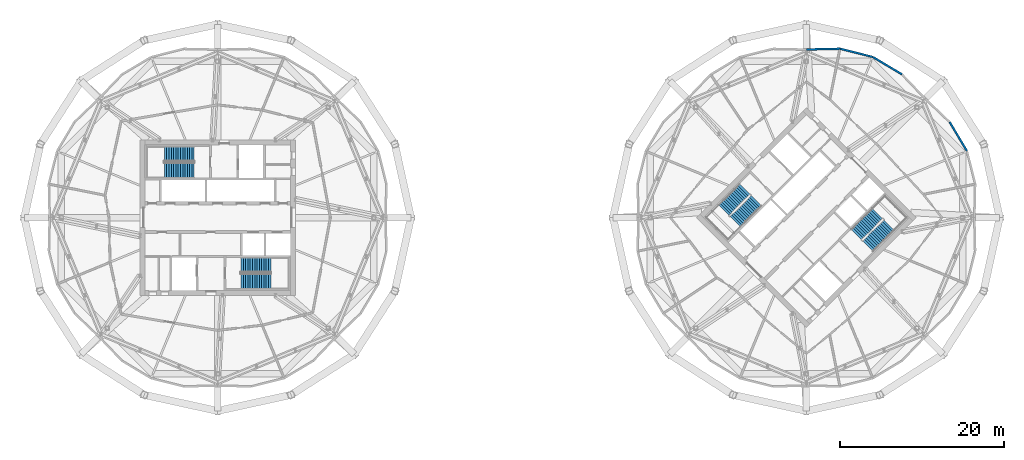
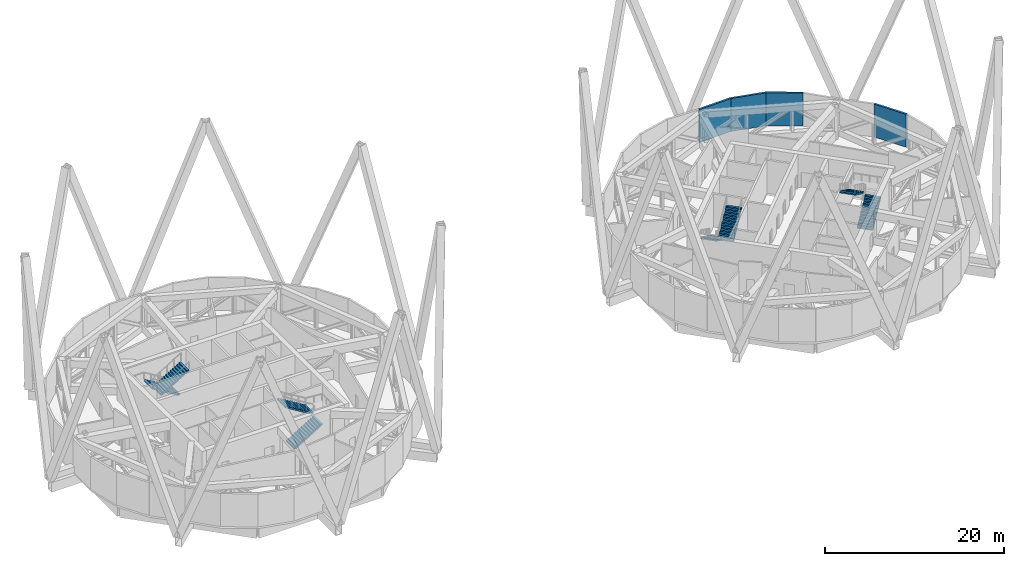
# One storey, part 18 of 19: 8 stair flights, 4 walls, 4 elements without a shape of their own.
"""IFC4 building model written with IfcOpenShell, lengths in metres."""

from ifc_helpers import new_model, si_unit, direction, frame, frame_2d, origin, place, context, subcontext, project, spatial, polyline, rectangle, outline, extrude, material, layer, layer_set, type_object, element, aggregate, save


model = new_model("IFC4")

# Units and contexts
model_context = context("Model", 3, precision=1e-05, world=origin(), true_north=direction((0.0, 1.0)))
body_context = subcontext(model_context, "Body", "Model", "MODEL_VIEW")
ifc_project = project(units=[si_unit("LENGTHUNIT", "METRE"), si_unit("AREAUNIT", "SQUARE_METRE"), si_unit("VOLUMEUNIT", "CUBIC_METRE"), si_unit("PLANEANGLEUNIT", "RADIAN"), si_unit("MASSUNIT", "GRAM", prefix="KILO")], contexts=[model_context])

# Site, building, storey
site_placement = place(None, origin())
site = spatial("IfcSite", under=ifc_project, at=site_placement, CompositionType="ELEMENT")
building_placement = place(site_placement, origin())
building = spatial("IfcBuilding", under=site, at=building_placement, Name="Ogive Gate Towers", CompositionType="ELEMENT")
storey_placement = place(building_placement, frame((0.0, 0.0, 216.300048828125)))
storey = spatial("IfcBuildingStorey", under=building, at=storey_placement, Name="L52", CompositionType="ELEMENT", Elevation=216.300048828125)

# Walls
ifc_material_1 = material(Name="Pale metal aluminium louvre", Category="aluminium")
ifc_layer = layer(ifc_material_1, 0.25)
ifc_layer_set = layer_set([ifc_layer], Name="Plant louvre wall")
wall_type = type_object("IfcWallType", Name="Plant louvre wall", PredefinedType="SOLIDWALL", material=ifc_layer_set)
for number, where, z_axis, x_axis, name in (
    (1, (55.64599609375, 8.1376953125, 0.0), (0.0, 0.0, 1.0), (-0.513042110204, 0.858363438852, 0.0), "Plant louvre wall"),
    (2, (47.701171875, 17.51611328125, 0.0), (0.0, 0.0, 1.0), (-0.858363438852, 0.513042110204, 0.0), "Plant louvre wall"),
):
    element("IfcWall", number, at=place(storey_placement, frame(where, z_axis=z_axis, x_axis=x_axis)), inside=storey, type_object=wall_type, Name=name, PredefinedType="SOLIDWALL", context=body_context, shape_type="SweptSolid", body=[
        extrude(rectangle(XDim=4.1513671875, YDim=0.25, at=frame_2d((2.07568359375, 0.0))), origin(), (0.0, 0.0, 1.0), 4.5),
    ])
wall_1_placement = place(storey_placement, frame((44.1376953125, 19.64599609375, 0.0), z_axis=(0.0, 0.0, 1.0), x_axis=(-0.969736439751, 0.244154126363, 0.0)))
element("IfcWall", 3, at=wall_1_placement, inside=storey, type_object=wall_type, Name="Plant louvre wall", PredefinedType="SOLIDWALL", context=body_context, shape_type="SweptSolid", body=[
    extrude(rectangle(XDim=4.15185546875, YDim=0.25, at=frame_2d((2.075927734375, 0.0))), origin(), (0.0, 0.0, 1.0), 4.5),
])
wall_2_placement = place(storey_placement, frame((40.111572265625, 20.65966796875, 0.0), z_axis=(0.0, 0.0, 1.0), x_axis=(-0.999734707572, -0.02303289986, 0.0)))
element("IfcWall", 4, at=wall_2_placement, inside=storey, type_object=wall_type, Name="Plant louvre wall", PredefinedType="SOLIDWALL", context=body_context, shape_type="SweptSolid", body=[
    extrude(rectangle(XDim=4.112548828125, YDim=0.25, at=frame_2d((2.05615234375, 0.0))), origin(), (0.0, 0.0, 1.0), 4.5),
])

# Stair, stair flights
ifc_material_2 = material(Name="Concrete C40/50", Category="concrete")
stair_type = type_object("IfcStairType", Name="Escape stair 1840 wide", PredefinedType="HALF_TURN_STAIR", material=ifc_material_2)
stair_1_placement = place(storey_placement, origin())
stair_1 = element("IfcStair", 5, at=stair_1_placement, inside=storey, type_object=stair_type, Name="L52 Escape stair 1", PredefinedType="HALF_TURN_STAIR")
stair_flight_type = type_object("IfcStairFlightType", Name="Stair flight 1840 wide", PredefinedType="STRAIGHT", material=ifc_material_2)
stair_flight_1_placement = place(storey_placement, frame((-38.864990234375, 7.780029296875, 0.0), z_axis=(0.0, 0.0, 1.0), x_axis=(-1.0, 0.0, 0.0)))
stair_flight_1 = element("IfcStairFlight", 6, at=stair_flight_1_placement, type_object=stair_flight_type, Name="ST1 flight 1", NumberOfRisers=14, NumberOfTreads=13, PredefinedType="STRAIGHT", RiserHeight=0.171428571, TreadLength=0.28, context=body_context, shape_type="SweptSolid", body=[
    extrude(outline(polyline([(0.0, 0.0), (0.0, 0.17138671875), (0.280029296875, 0.17138671875), (0.280029296875, 0.3427734375), (0.56005859375, 0.3427734375), (0.56005859375, 0.514404296875), (0.840087890625, 0.514404296875), (0.840087890625, 0.685791015625), (1.1201171875, 0.685791015625), (1.1201171875, 0.857177734375), (1.39990234375, 0.857177734375), (1.39990234375, 1.028564453125), (1.679931640625, 1.028564453125), (1.679931640625, 1.199951171875), (1.9599609375, 1.199951171875), (1.9599609375, 1.371337890625), (2.239990234375, 1.371337890625), (2.239990234375, 1.54296875), (2.52001953125, 1.54296875), (2.52001953125, 1.71435546875), (2.800048828125, 1.71435546875), (2.800048828125, 1.8857421875), (3.080078125, 1.8857421875), (3.080078125, 2.05712890625), (3.360107421875, 2.05712890625), (3.360107421875, 2.228515625), (3.639892578125, 2.228515625), (3.639892578125, 2.39990234375), (3.639892578125, 2.052734375), (0.287109375, 0.0), (0.0, 0.0)])), frame((0.0, 0.919921875, 0.0), z_axis=(0.0, -1.0, 0.0), x_axis=(1.0, 0.0, 0.0)), (0.0, 0.0, 1.0), 1.840087890625),
])
stair_flight_2_placement = place(storey_placement, frame((-42.5048828125, 5.794921875, 2.39990234375), z_axis=(0.0, 0.0, 1.0), x_axis=(1.0, 0.0, 0.0)))
stair_flight_2 = element("IfcStairFlight", 7, at=stair_flight_2_placement, type_object=stair_flight_type, Name="ST1 flight 2", NumberOfRisers=14, NumberOfTreads=13, PredefinedType="STRAIGHT", RiserHeight=0.171428571, TreadLength=0.28, context=body_context, shape_type="SweptSolid", body=[
    extrude(outline(polyline([(0.0, 0.0), (0.0, 0.17138671875), (0.280029296875, 0.17138671875), (0.280029296875, 0.3427734375), (0.56005859375, 0.3427734375), (0.56005859375, 0.514404296875), (0.840087890625, 0.514404296875), (0.840087890625, 0.685791015625), (1.1201171875, 0.685791015625), (1.1201171875, 0.857177734375), (1.39990234375, 0.857177734375), (1.39990234375, 1.028564453125), (1.679931640625, 1.028564453125), (1.679931640625, 1.199951171875), (1.9599609375, 1.199951171875), (1.9599609375, 1.371337890625), (2.239990234375, 1.371337890625), (2.239990234375, 1.54296875), (2.52001953125, 1.54296875), (2.52001953125, 1.71435546875), (2.800048828125, 1.71435546875), (2.800048828125, 1.8857421875), (3.080078125, 1.8857421875), (3.080078125, 2.05712890625), (3.360107421875, 2.05712890625), (3.360107421875, 2.228515625), (3.639892578125, 2.228515625), (3.639892578125, 2.39990234375), (3.639892578125, 2.052734375), (0.287109375, 0.0), (0.0, 0.0)])), frame((0.0, 0.919921875, 0.0), z_axis=(0.0, -1.0, 0.0), x_axis=(1.0, 0.0, 0.0)), (0.0, 0.0, 1.0), 1.840087890625),
])
aggregate(stair_1, [stair_flight_1, stair_flight_2])

stair_2_placement = place(storey_placement, origin())
stair_2 = element("IfcStair", 8, at=stair_2_placement, inside=storey, type_object=stair_type, Name="L52 Escape stair 2", PredefinedType="HALF_TURN_STAIR")
stair_flight_3_placement = place(storey_placement, frame((-33.135009765625, -7.780029296875, 0.0), z_axis=(0.0, 0.0, 1.0), x_axis=(1.0, 0.0, 0.0)))
stair_flight_3 = element("IfcStairFlight", 9, at=stair_flight_3_placement, type_object=stair_flight_type, Name="ST2 flight 1", NumberOfRisers=14, NumberOfTreads=13, PredefinedType="STRAIGHT", RiserHeight=0.171428571, TreadLength=0.28, context=body_context, shape_type="SweptSolid", body=[
    extrude(outline(polyline([(0.0, 0.0), (0.0, 0.17138671875), (0.280029296875, 0.17138671875), (0.280029296875, 0.3427734375), (0.56005859375, 0.3427734375), (0.56005859375, 0.514404296875), (0.840087890625, 0.514404296875), (0.840087890625, 0.685791015625), (1.1201171875, 0.685791015625), (1.1201171875, 0.857177734375), (1.39990234375, 0.857177734375), (1.39990234375, 1.028564453125), (1.679931640625, 1.028564453125), (1.679931640625, 1.199951171875), (1.9599609375, 1.199951171875), (1.9599609375, 1.371337890625), (2.239990234375, 1.371337890625), (2.239990234375, 1.54296875), (2.52001953125, 1.54296875), (2.52001953125, 1.71435546875), (2.800048828125, 1.71435546875), (2.800048828125, 1.8857421875), (3.080078125, 1.8857421875), (3.080078125, 2.05712890625), (3.360107421875, 2.05712890625), (3.360107421875, 2.228515625), (3.639892578125, 2.228515625), (3.639892578125, 2.39990234375), (3.639892578125, 2.052734375), (0.287109375, 0.0), (0.0, 0.0)])), frame((0.0, 0.919921875, 0.0), z_axis=(0.0, -1.0, 0.0), x_axis=(1.0, 0.0, 0.0)), (0.0, 0.0, 1.0), 1.840087890625),
])
stair_flight_4_placement = place(storey_placement, frame((-29.4951171875, -5.794921875, 2.39990234375), z_axis=(0.0, 0.0, 1.0), x_axis=(-1.0, 0.0, 0.0)))
stair_flight_4 = element("IfcStairFlight", 10, at=stair_flight_4_placement, type_object=stair_flight_type, Name="ST2 flight 2", NumberOfRisers=14, NumberOfTreads=13, PredefinedType="STRAIGHT", RiserHeight=0.171428571, TreadLength=0.28, context=body_context, shape_type="SweptSolid", body=[
    extrude(outline(polyline([(0.0, 0.0), (0.0, 0.17138671875), (0.280029296875, 0.17138671875), (0.280029296875, 0.3427734375), (0.56005859375, 0.3427734375), (0.56005859375, 0.514404296875), (0.840087890625, 0.514404296875), (0.840087890625, 0.685791015625), (1.1201171875, 0.685791015625), (1.1201171875, 0.857177734375), (1.39990234375, 0.857177734375), (1.39990234375, 1.028564453125), (1.679931640625, 1.028564453125), (1.679931640625, 1.199951171875), (1.9599609375, 1.199951171875), (1.9599609375, 1.371337890625), (2.239990234375, 1.371337890625), (2.239990234375, 1.54296875), (2.52001953125, 1.54296875), (2.52001953125, 1.71435546875), (2.800048828125, 1.71435546875), (2.800048828125, 1.8857421875), (3.080078125, 1.8857421875), (3.080078125, 2.05712890625), (3.360107421875, 2.05712890625), (3.360107421875, 2.228515625), (3.639892578125, 2.228515625), (3.639892578125, 2.39990234375), (3.639892578125, 2.052734375), (0.287109375, 0.0), (0.0, 0.0)])), frame((0.0, 0.919921875, 0.0), z_axis=(0.0, -1.0, 0.0), x_axis=(1.0, 0.0, 0.0)), (0.0, 0.0, 1.0), 1.840087890625),
])
aggregate(stair_2, [stair_flight_3, stair_flight_4])

stair_3_placement = place(storey_placement, origin())
stair_3 = element("IfcStair", 11, at=stair_3_placement, inside=storey, type_object=stair_type, Name="L52 Escape stair 1", PredefinedType="HALF_TURN_STAIR")
stair_flight_5_placement = place(storey_placement, frame((28.472900390625, 3.475341796875, 0.0), z_axis=(0.0, 0.0, 1.0), x_axis=(-0.707106781187, -0.707106781187, 0.0)))
stair_flight_5 = element("IfcStairFlight", 12, at=stair_flight_5_placement, type_object=stair_flight_type, Name="ST1 flight 1", NumberOfRisers=14, NumberOfTreads=13, PredefinedType="STRAIGHT", RiserHeight=0.171428571, TreadLength=0.28, context=body_context, shape_type="SweptSolid", body=[
    extrude(outline(polyline([(0.0, 0.0), (0.0, 0.17138671875), (0.280029296875, 0.17138671875), (0.280029296875, 0.3427734375), (0.56005859375, 0.3427734375), (0.56005859375, 0.514404296875), (0.840087890625, 0.514404296875), (0.840087890625, 0.685791015625), (1.1201171875, 0.685791015625), (1.1201171875, 0.857177734375), (1.39990234375, 0.857177734375), (1.39990234375, 1.028564453125), (1.679931640625, 1.028564453125), (1.679931640625, 1.199951171875), (1.9599609375, 1.199951171875), (1.9599609375, 1.371337890625), (2.239990234375, 1.371337890625), (2.239990234375, 1.54296875), (2.52001953125, 1.54296875), (2.52001953125, 1.71435546875), (2.800048828125, 1.71435546875), (2.800048828125, 1.8857421875), (3.080078125, 1.8857421875), (3.080078125, 2.05712890625), (3.360107421875, 2.05712890625), (3.360107421875, 2.228515625), (3.639892578125, 2.228515625), (3.639892578125, 2.39990234375), (3.639892578125, 2.052734375), (0.287109375, 0.0), (0.0, 0.0)])), frame((0.0, 0.919921875, 0.0), z_axis=(0.0, -1.0, 0.0), x_axis=(1.0, 0.0, 0.0)), (0.0, 0.0, 1.0), 1.840087890625),
])
stair_flight_6_placement = place(storey_placement, frame((27.302490234375, -0.501953125, 2.39990234375), z_axis=(0.0, 0.0, 1.0), x_axis=(0.707106781187, 0.707106781187, 0.0)))
stair_flight_6 = element("IfcStairFlight", 13, at=stair_flight_6_placement, type_object=stair_flight_type, Name="ST1 flight 2", NumberOfRisers=14, NumberOfTreads=13, PredefinedType="STRAIGHT", RiserHeight=0.171428571, TreadLength=0.28, context=body_context, shape_type="SweptSolid", body=[
    extrude(outline(polyline([(0.0, 0.0), (0.0, 0.17138671875), (0.280029296875, 0.17138671875), (0.280029296875, 0.3427734375), (0.56005859375, 0.3427734375), (0.56005859375, 0.514404296875), (0.840087890625, 0.514404296875), (0.840087890625, 0.685791015625), (1.1201171875, 0.685791015625), (1.1201171875, 0.857177734375), (1.39990234375, 0.857177734375), (1.39990234375, 1.028564453125), (1.679931640625, 1.028564453125), (1.679931640625, 1.199951171875), (1.9599609375, 1.199951171875), (1.9599609375, 1.371337890625), (2.239990234375, 1.371337890625), (2.239990234375, 1.54296875), (2.52001953125, 1.54296875), (2.52001953125, 1.71435546875), (2.800048828125, 1.71435546875), (2.800048828125, 1.8857421875), (3.080078125, 1.8857421875), (3.080078125, 2.05712890625), (3.360107421875, 2.05712890625), (3.360107421875, 2.228515625), (3.639892578125, 2.228515625), (3.639892578125, 2.39990234375), (3.639892578125, 2.052734375), (0.287109375, 0.0), (0.0, 0.0)])), frame((0.0, 0.919921875, 0.0), z_axis=(0.0, -1.0, 0.0), x_axis=(1.0, 0.0, 0.0)), (0.0, 0.0, 1.0), 1.840087890625),
])
aggregate(stair_3, [stair_flight_5, stair_flight_6])

stair_4_placement = place(storey_placement, origin())
stair_4 = element("IfcStair", 14, at=stair_4_placement, inside=storey, type_object=stair_type, Name="L52 Escape stair 2", PredefinedType="HALF_TURN_STAIR")
stair_flight_7_placement = place(storey_placement, frame((43.527099609375, -3.475341796875, 0.0), z_axis=(0.0, 0.0, 1.0), x_axis=(0.707106781187, 0.707106781187, 0.0)))
stair_flight_7 = element("IfcStairFlight", 15, at=stair_flight_7_placement, type_object=stair_flight_type, Name="ST2 flight 1", NumberOfRisers=14, NumberOfTreads=13, PredefinedType="STRAIGHT", RiserHeight=0.171428571, TreadLength=0.28, context=body_context, shape_type="SweptSolid", body=[
    extrude(outline(polyline([(0.0, 0.0), (0.0, 0.17138671875), (0.280029296875, 0.17138671875), (0.280029296875, 0.3427734375), (0.56005859375, 0.3427734375), (0.56005859375, 0.514404296875), (0.840087890625, 0.514404296875), (0.840087890625, 0.685791015625), (1.1201171875, 0.685791015625), (1.1201171875, 0.857177734375), (1.39990234375, 0.857177734375), (1.39990234375, 1.028564453125), (1.679931640625, 1.028564453125), (1.679931640625, 1.199951171875), (1.9599609375, 1.199951171875), (1.9599609375, 1.371337890625), (2.239990234375, 1.371337890625), (2.239990234375, 1.54296875), (2.52001953125, 1.54296875), (2.52001953125, 1.71435546875), (2.800048828125, 1.71435546875), (2.800048828125, 1.8857421875), (3.080078125, 1.8857421875), (3.080078125, 2.05712890625), (3.360107421875, 2.05712890625), (3.360107421875, 2.228515625), (3.639892578125, 2.228515625), (3.639892578125, 2.39990234375), (3.639892578125, 2.052734375), (0.287109375, 0.0), (0.0, 0.0)])), frame((0.0, 0.919921875, 0.0), z_axis=(0.0, -1.0, 0.0), x_axis=(1.0, 0.0, 0.0)), (0.0, 0.0, 1.0), 1.840087890625),
])
stair_flight_8_placement = place(storey_placement, frame((44.697509765625, 0.501953125, 2.39990234375), z_axis=(0.0, 0.0, 1.0), x_axis=(-0.707106781187, -0.707106781187, 0.0)))
stair_flight_8 = element("IfcStairFlight", 16, at=stair_flight_8_placement, type_object=stair_flight_type, Name="ST2 flight 2", NumberOfRisers=14, NumberOfTreads=13, PredefinedType="STRAIGHT", RiserHeight=0.171428571, TreadLength=0.28, context=body_context, shape_type="SweptSolid", body=[
    extrude(outline(polyline([(0.0, 0.0), (0.0, 0.17138671875), (0.280029296875, 0.17138671875), (0.280029296875, 0.3427734375), (0.56005859375, 0.3427734375), (0.56005859375, 0.514404296875), (0.840087890625, 0.514404296875), (0.840087890625, 0.685791015625), (1.1201171875, 0.685791015625), (1.1201171875, 0.857177734375), (1.39990234375, 0.857177734375), (1.39990234375, 1.028564453125), (1.679931640625, 1.028564453125), (1.679931640625, 1.199951171875), (1.9599609375, 1.199951171875), (1.9599609375, 1.371337890625), (2.239990234375, 1.371337890625), (2.239990234375, 1.54296875), (2.52001953125, 1.54296875), (2.52001953125, 1.71435546875), (2.800048828125, 1.71435546875), (2.800048828125, 1.8857421875), (3.080078125, 1.8857421875), (3.080078125, 2.05712890625), (3.360107421875, 2.05712890625), (3.360107421875, 2.228515625), (3.639892578125, 2.228515625), (3.639892578125, 2.39990234375), (3.639892578125, 2.052734375), (0.287109375, 0.0), (0.0, 0.0)])), frame((0.0, 0.919921875, 0.0), z_axis=(0.0, -1.0, 0.0), x_axis=(1.0, 0.0, 0.0)), (0.0, 0.0, 1.0), 1.840087890625),
])
aggregate(stair_4, [stair_flight_7, stair_flight_8])

save(model, "model.ifc")
